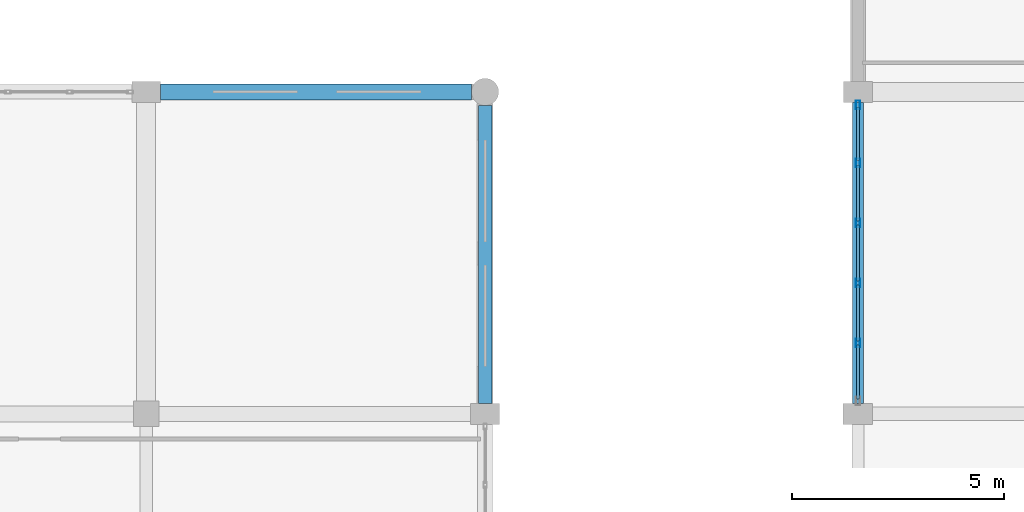
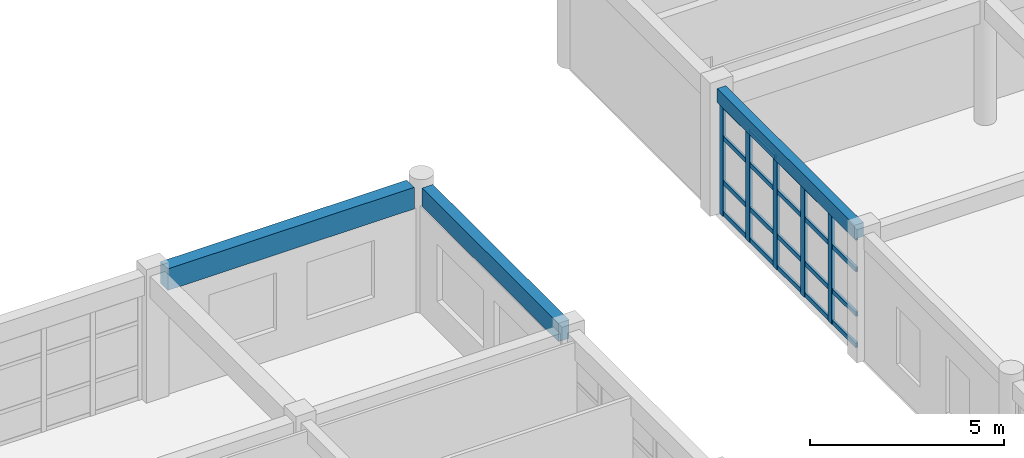
# One storey, part 44 of 121: 25 members, 3 beams, 1 element without a shape of its own.
"""IFC4 building model written with IfcOpenShell, lengths in metres."""

import ifcopenshell
import ifcopenshell.guid

model = None  # the IFC model being written
_history = None  # IfcOwnerHistory: only IFC2X3 demands one
_inside = {}  # id of a spatial element -> (the spatial element, [elements in it])
_under = {}  # id of a project, library or spatial element -> (it, [spatial elements below it])
_declared = {}  # id of a project -> (the project, [libraries it declares])
_typed = {}  # id of a type object -> (the type object, [elements of that type])
_made_of = {}  # id of a material, layer set ... -> (it, [elements and type objects made of it])


def new_model(schema):
    """Start an empty IFC model of exactly this schema.

    Asked for "IFC4X3", IfcOpenShell would pick the latest addendum, in which some entities
    have other attributes; the version numbers below select the first issue.
    IFC2X3 requires an IfcOwnerHistory on every rooted entity: one is made here for all.
    """
    global model, _history
    if schema == "IFC4X3":
        model = ifcopenshell.file(schema_version=(4, 3, 0, 0))
    else:
        model = ifcopenshell.file(schema=schema)
    _inside.clear()
    _under.clear()
    _declared.clear()
    _typed.clear()
    _made_of.clear()
    _history = None
    if model.schema == "IFC2X3":
        org = make("IfcOrganization", Name="unknown")
        user = make(
            "IfcPersonAndOrganization",
            ThePerson=make("IfcPerson", FamilyName="unknown"),
            TheOrganization=org,
        )
        app = make(
            "IfcApplication",
            ApplicationDeveloper=org,
            Version="unknown",
            ApplicationFullName="unknown",
            ApplicationIdentifier="unknown",
        )
        _history = make(
            "IfcOwnerHistory",
            OwningUser=user,
            OwningApplication=app,
            ChangeAction="ADDED",
            CreationDate=0,
        )
    return model


def make(cls, **values):
    """One entity of the class cls with the attributes given. An attribute that is None is left unset."""
    return model.create_entity(
        cls, **{name: value for name, value in values.items() if value is not None}
    )


def rooted(cls, **values):
    """An entity with a GlobalId (a new one), such as an element, a storey or a relation."""
    return make(cls, GlobalId=ifcopenshell.guid.new(), OwnerHistory=_history, **values)


def si_unit(unit_type, name, prefix=None):
    """IfcSIUnit, for example si_unit("LENGTHUNIT", "METRE", prefix="MILLI")."""
    return make("IfcSIUnit", UnitType=unit_type, Prefix=prefix, Name=name)


def assignment(units):
    """IfcUnitAssignment: the units of a project."""
    return None if units is None else make("IfcUnitAssignment", Units=units)


def point(xyz):
    """IfcCartesianPoint."""
    return None if xyz is None else make("IfcCartesianPoint", Coordinates=xyz)


def direction(xyz):
    """IfcDirection."""
    return None if xyz is None else make("IfcDirection", DirectionRatios=xyz)


def frame(location, z_axis=None, x_axis=None):
    """IfcAxis2Placement3D, a coordinate frame: its origin and axes. An axis left out is left unset."""
    return make(
        "IfcAxis2Placement3D",
        Location=point(location),
        Axis=direction(z_axis),
        RefDirection=direction(x_axis),
    )


def frame_2d(location, x_axis=None):
    """IfcAxis2Placement2D, a coordinate frame in the plane: its origin and x axis."""
    return make(
        "IfcAxis2Placement2D", Location=point(location), RefDirection=direction(x_axis)
    )


def origin():
    """The frame at (0, 0, 0) with its axes left unset."""
    return frame((0.0, 0.0, 0.0))


def origin_2d():
    """The frame at (0, 0) in the plane with its x axis left unset."""
    return frame_2d((0.0, 0.0))


def place(relative_to, where):
    """IfcLocalPlacement: puts the frame where relative to a parent placement (None: the world)."""
    return make(
        "IfcLocalPlacement", PlacementRelTo=relative_to, RelativePlacement=where
    )


def context(
    kind, dimensions, precision=None, world=None, true_north=None, identifier=None
):
    """IfcGeometricRepresentationContext, for example the 3D "Model" context."""
    return make(
        "IfcGeometricRepresentationContext",
        ContextIdentifier=identifier,
        ContextType=kind,
        CoordinateSpaceDimension=dimensions,
        Precision=precision,
        WorldCoordinateSystem=world,
        TrueNorth=true_north,
    )


def subcontext(parent, identifier, kind, view, scale=None):
    """IfcGeometricRepresentationSubContext, for example "Body" below "Model"."""
    return make(
        "IfcGeometricRepresentationSubContext",
        ContextIdentifier=identifier,
        ContextType=kind,
        ParentContext=parent,
        TargetScale=scale,
        TargetView=view,
    )


def project(units=None, contexts=None):
    """IfcProject with its units and contexts."""
    return rooted(
        "IfcProject",
        Name="project",
        RepresentationContexts=contexts,
        UnitsInContext=assignment(units),
    )


def spatial(cls, under=None, at=None, **own):
    """A site, building, storey or space (cls), placed at a placement, below another one or the project."""
    s = rooted(cls, ObjectPlacement=at, **own)
    if under is not None:
        _under.setdefault(under.id(), (under, []))[1].append(s)
    return s


def profile(cls, at=None, kind="AREA", **sizes):
    """A parametric profile (cls). Its sizes go by their IFC names, for example OverallWidth=200.0."""
    return make(cls, ProfileType=kind, Position=at, **sizes)


def rectangle(**sizes):
    """IfcRectangleProfileDef."""
    return profile("IfcRectangleProfileDef", **sizes)


def hollow_rectangle(**sizes):
    """IfcRectangleHollowProfileDef."""
    return profile("IfcRectangleHollowProfileDef", **sizes)


def extrude(swept, where, along, depth):
    """IfcExtrudedAreaSolid: the profile swept, set in the frame where, extruded along a direction by depth."""
    return make(
        "IfcExtrudedAreaSolid",
        SweptArea=swept,
        Position=where,
        ExtrudedDirection=direction(along),
        Depth=depth,
    )


def shape(context_of_items, identifier, shape_type, items):
    """IfcShapeRepresentation: the items that make up one representation, for example the "Body"."""
    return make(
        "IfcShapeRepresentation",
        ContextOfItems=context_of_items,
        RepresentationIdentifier=identifier,
        RepresentationType=shape_type,
        Items=items,
    )


def material(Name=None, Category=None):
    """IfcMaterial."""
    return make("IfcMaterial", Name=Name, Category=Category)


def material_profile(
    of_material, cross_section, Name=None, Category=None, Priority=None
):
    """IfcMaterialProfile: a cross section and its material."""
    return make(
        "IfcMaterialProfile",
        Name=Name,
        Material=of_material,
        Profile=cross_section,
        Priority=Priority,
        Category=Category,
    )


def profile_set(profiles, Name=None, composite=None):
    """IfcMaterialProfileSet."""
    return make(
        "IfcMaterialProfileSet",
        Name=Name,
        MaterialProfiles=profiles,
        CompositeProfile=composite,
    )


def made_of(thing, what):
    """Note that an element or type object is made of a material, layer set ...; save() writes the relation."""
    if what is not None:
        _made_of.setdefault(what.id(), (what, []))[1].append(thing)
    return thing


def type_object(cls, material=None, **own):
    """A type object (cls), such as IfcWallType, which elements share."""
    return made_of(rooted(cls, **own), material)


def element(
    cls,
    number,
    at=None,
    inside=None,
    cuts=None,
    type_object=None,
    material=None,
    context=None,
    identifier="Body",
    shape_type=None,
    held_by="IfcProductDefinitionShape",
    body=None,
    shapes=None,
    **own,
):
    """One element of the class cls, such as IfcWall. Its Tag is "e" and its number.

    at: its placement. inside: the storey or other place that contains it. cuts: it is an
    opening in that element (IfcRelVoidsElement). A single representation is given by context,
    identifier, shape_type and body (its items); several are given by shapes. held_by: the class
    of the entity that holds the representations. save() writes the other relations.
    """
    e = rooted(cls, Tag="e%d" % number, ObjectPlacement=at, **own)
    if body is not None:
        shapes = [shape(context, identifier, shape_type, body)]
    if shapes is not None:
        e.Representation = make(held_by, Representations=shapes)
    if inside is not None:
        _inside.setdefault(inside.id(), (inside, []))[1].append(e)
    if cuts is not None:
        rooted(
            "IfcRelVoidsElement", RelatingBuildingElement=cuts, RelatedOpeningElement=e
        )
    if type_object is not None:
        _typed.setdefault(type_object.id(), (type_object, []))[1].append(e)
    return made_of(e, material)


def aggregate(whole, parts):
    """IfcRelAggregates: a whole, such as a stair, and the parts it consists of."""
    return rooted("IfcRelAggregates", RelatingObject=whole, RelatedObjects=parts)


def save(model, path):
    """Write the relations noted so far, then the file.

    IfcRelAggregates (storeys below a building ...), IfcRelContainedInSpatialStructure (elements
    in a storey), IfcRelDefinesByType, IfcRelAssociatesMaterial and IfcRelDeclares: one each for
    every whole, place, type object, material and project.
    """
    for whole, parts in _under.values():
        aggregate(whole, parts)
    for where, things in _inside.values():
        rooted(
            "IfcRelContainedInSpatialStructure",
            RelatedElements=things,
            RelatingStructure=where,
        )
    for kind, things in _typed.values():
        rooted("IfcRelDefinesByType", RelatedObjects=things, RelatingType=kind)
    for what, things in _made_of.values():
        rooted("IfcRelAssociatesMaterial", RelatedObjects=things, RelatingMaterial=what)
    for by, libraries in _declared.values():
        rooted("IfcRelDeclares", RelatingContext=by, RelatedDefinitions=libraries)
    model.write(path)


model = new_model("IFC4")

# Units and contexts
model_context = context("Model", 3, precision=1e-05, world=origin(), true_north=direction((0.0, 1.0)))
body_context = subcontext(model_context, "Body", "Model", "MODEL_VIEW")
ifc_project = project(units=[si_unit("LENGTHUNIT", "METRE"), si_unit("AREAUNIT", "SQUARE_METRE"), si_unit("VOLUMEUNIT", "CUBIC_METRE"), si_unit("PLANEANGLEUNIT", "RADIAN"), si_unit("MASSUNIT", "GRAM", prefix="KILO")], contexts=[model_context])

# Site, building, storey
site_placement = place(None, origin())
site = spatial("IfcSite", under=ifc_project, at=site_placement, CompositionType="ELEMENT")
building_placement = place(site_placement, origin())
building = spatial("IfcBuilding", under=site, at=building_placement, Name="Kharva Crest Polytechnic", CompositionType="ELEMENT")
storey_placement = place(building_placement, frame((0.0, 0.0, 13.199951171875)))
storey = spatial("IfcBuildingStorey", under=building, at=storey_placement, Name="L03", CompositionType="ELEMENT", Elevation=13.199951171875)

# Curtain wall, members
ifc_material_1 = material(Name="Tempered insulated glass", Category="glass")
curtain_wall_type = type_object("IfcCurtainWallType", Name="CW-SYS-REFECTORY", PredefinedType="USERDEFINED", material=ifc_material_1)
curtain_wall_placement = place(storey_placement, origin())
curtain_wall = element("IfcCurtainWall", 1, at=curtain_wall_placement, inside=storey, type_object=curtain_wall_type, Name="L03 Glazed Curtain Wall CW-139", ObjectType="CURTAIN WALL", PredefinedType="USERDEFINED")
ifc_material_2 = material(Name="Steel S355", Category="steel")
ifc_material_profile_1 = material_profile(ifc_material_2, hollow_rectangle(XDim=0.10009765625, YDim=0.199951171875, WallThickness=0.00634765625, at=origin_2d()), Name="RHS 200X100X6.3")
ifc_profile_set_1 = profile_set([ifc_material_profile_1], Name="Steel S355")
member_type_1 = type_object("IfcMemberType", Name="CWM-RHS200X100", PredefinedType="MULLION", material=ifc_profile_set_1)
member_1_placement = place(storey_placement, frame((120.800048828125, 22.4951171875, 0.0), z_axis=(0.0, 0.0, 1.0), x_axis=(1.0, 0.0, 0.0)))
member_1 = element("IfcMember", 2, at=member_1_placement, type_object=member_type_1, Name="CW-139 mullion 1", PredefinedType="MULLION", context=body_context, shape_type="SweptSolid", body=[
    extrude(hollow_rectangle(XDim=0.10009765625, YDim=0.199951171875, WallThickness=0.00634765625, at=origin_2d()), origin(), (0.0, 0.0, 1.0), 3.52001953125),
])
member_2_placement = place(storey_placement, frame((120.800048828125, 21.126953125, 0.0), z_axis=(0.0, 0.0, 1.0), x_axis=(1.0, 0.0, 0.0)))
member_2 = element("IfcMember", 3, at=member_2_placement, type_object=member_type_1, Name="CW-139 mullion 2", PredefinedType="MULLION", context=body_context, shape_type="SweptSolid", body=[
    extrude(hollow_rectangle(XDim=0.10009765625, YDim=0.199951171875, WallThickness=0.00634765625, at=origin_2d()), origin(), (0.0, 0.0, 1.0), 3.52001953125),
])
member_3_placement = place(storey_placement, frame((120.800048828125, 19.708984375, 0.0), z_axis=(0.0, 0.0, 1.0), x_axis=(1.0, 0.0, 0.0)))
member_3 = element("IfcMember", 4, at=member_3_placement, type_object=member_type_1, Name="CW-139 mullion 3", PredefinedType="MULLION", context=body_context, shape_type="SweptSolid", body=[
    extrude(hollow_rectangle(XDim=0.10009765625, YDim=0.199951171875, WallThickness=0.00634765625, at=origin_2d()), origin(), (0.0, 0.0, 1.0), 3.52001953125),
])
member_4_placement = place(storey_placement, frame((120.800048828125, 18.291015625, 0.0), z_axis=(0.0, 0.0, 1.0), x_axis=(1.0, 0.0, 0.0)))
member_4 = element("IfcMember", 5, at=member_4_placement, type_object=member_type_1, Name="CW-139 mullion 4", PredefinedType="MULLION", context=body_context, shape_type="SweptSolid", body=[
    extrude(hollow_rectangle(XDim=0.10009765625, YDim=0.199951171875, WallThickness=0.00634765625, at=origin_2d()), origin(), (0.0, 0.0, 1.0), 3.52001953125),
])
member_5_placement = place(storey_placement, frame((120.800048828125, 16.873046875, 0.0), z_axis=(0.0, 0.0, 1.0), x_axis=(1.0, 0.0, 0.0)))
member_5 = element("IfcMember", 6, at=member_5_placement, type_object=member_type_1, Name="CW-139 mullion 5", PredefinedType="MULLION", context=body_context, shape_type="SweptSolid", body=[
    extrude(hollow_rectangle(XDim=0.10009765625, YDim=0.199951171875, WallThickness=0.00634765625, at=origin_2d()), origin(), (0.0, 0.0, 1.0), 3.52001953125),
])
ifc_material_profile_2 = material_profile(ifc_material_2, hollow_rectangle(XDim=0.070068359375, YDim=0.139892578125, WallThickness=0.00390625, at=origin_2d()), Name="RHS 140X70X4.0")
ifc_profile_set_2 = profile_set([ifc_material_profile_2], Name="Steel S355")
member_type_2 = type_object("IfcMemberType", Name="CWT-RHS140X70", PredefinedType="USERDEFINED", material=ifc_profile_set_2)
member_6_placement = place(storey_placement, frame((120.800048828125, 22.445068359375, 0.070068359375), z_axis=(0.0, -1.0, 0.0), x_axis=(1.0, 0.0, 0.0)))
member_6 = element("IfcMember", 7, at=member_6_placement, type_object=member_type_2, Name="CW-139 transom 1.1", ObjectType="TRANSOM", PredefinedType="USERDEFINED", context=body_context, shape_type="SweptSolid", body=[
    extrude(hollow_rectangle(XDim=0.070068359375, YDim=0.139892578125, WallThickness=0.00390625, at=origin_2d()), origin(), (0.0, 0.0, 1.0), 1.26806640625),
])
member_7_placement = place(storey_placement, frame((120.800048828125, 22.445068359375, 1.050048828125), z_axis=(0.0, -1.0, 0.0), x_axis=(1.0, 0.0, 0.0)))
member_7 = element("IfcMember", 8, at=member_7_placement, type_object=member_type_2, Name="CW-139 transom 1.2", ObjectType="TRANSOM", PredefinedType="USERDEFINED", context=body_context, shape_type="SweptSolid", body=[
    extrude(hollow_rectangle(XDim=0.070068359375, YDim=0.139892578125, WallThickness=0.00390625, at=origin_2d()), origin(), (0.0, 0.0, 1.0), 1.26806640625),
])
member_8_placement = place(storey_placement, frame((120.800048828125, 22.445068359375, 2.449951171875), z_axis=(0.0, -1.0, 0.0), x_axis=(1.0, 0.0, 0.0)))
member_8 = element("IfcMember", 9, at=member_8_placement, type_object=member_type_2, Name="CW-139 transom 1.3", ObjectType="TRANSOM", PredefinedType="USERDEFINED", context=body_context, shape_type="SweptSolid", body=[
    extrude(hollow_rectangle(XDim=0.070068359375, YDim=0.139892578125, WallThickness=0.00390625, at=origin_2d()), origin(), (0.0, 0.0, 1.0), 1.26806640625),
])
member_9_placement = place(storey_placement, frame((120.800048828125, 22.445068359375, 3.449951171875), z_axis=(0.0, -1.0, 0.0), x_axis=(1.0, 0.0, 0.0)))
member_9 = element("IfcMember", 10, at=member_9_placement, type_object=member_type_2, Name="CW-139 transom 1.4", ObjectType="TRANSOM", PredefinedType="USERDEFINED", context=body_context, shape_type="SweptSolid", body=[
    extrude(hollow_rectangle(XDim=0.070068359375, YDim=0.139892578125, WallThickness=0.00390625, at=origin_2d()), origin(), (0.0, 0.0, 1.0), 1.26806640625),
])
member_10_placement = place(storey_placement, frame((120.800048828125, 21.076904296875, 0.070068359375), z_axis=(0.0, -1.0, 0.0), x_axis=(1.0, 0.0, 0.0)))
member_10 = element("IfcMember", 11, at=member_10_placement, type_object=member_type_2, Name="CW-139 transom 2.1", ObjectType="TRANSOM", PredefinedType="USERDEFINED", context=body_context, shape_type="SweptSolid", body=[
    extrude(hollow_rectangle(XDim=0.070068359375, YDim=0.139892578125, WallThickness=0.00390625, at=origin_2d()), origin(), (0.0, 0.0, 1.0), 1.31787109375),
])
member_11_placement = place(storey_placement, frame((120.800048828125, 21.076904296875, 1.050048828125), z_axis=(0.0, -1.0, 0.0), x_axis=(1.0, 0.0, 0.0)))
member_11 = element("IfcMember", 12, at=member_11_placement, type_object=member_type_2, Name="CW-139 transom 2.2", ObjectType="TRANSOM", PredefinedType="USERDEFINED", context=body_context, shape_type="SweptSolid", body=[
    extrude(hollow_rectangle(XDim=0.070068359375, YDim=0.139892578125, WallThickness=0.00390625, at=origin_2d()), origin(), (0.0, 0.0, 1.0), 1.31787109375),
])
member_12_placement = place(storey_placement, frame((120.800048828125, 21.076904296875, 2.449951171875), z_axis=(0.0, -1.0, 0.0), x_axis=(1.0, 0.0, 0.0)))
member_12 = element("IfcMember", 13, at=member_12_placement, type_object=member_type_2, Name="CW-139 transom 2.3", ObjectType="TRANSOM", PredefinedType="USERDEFINED", context=body_context, shape_type="SweptSolid", body=[
    extrude(hollow_rectangle(XDim=0.070068359375, YDim=0.139892578125, WallThickness=0.00390625, at=origin_2d()), origin(), (0.0, 0.0, 1.0), 1.31787109375),
])
member_13_placement = place(storey_placement, frame((120.800048828125, 21.076904296875, 3.449951171875), z_axis=(0.0, -1.0, 0.0), x_axis=(1.0, 0.0, 0.0)))
member_13 = element("IfcMember", 14, at=member_13_placement, type_object=member_type_2, Name="CW-139 transom 2.4", ObjectType="TRANSOM", PredefinedType="USERDEFINED", context=body_context, shape_type="SweptSolid", body=[
    extrude(hollow_rectangle(XDim=0.070068359375, YDim=0.139892578125, WallThickness=0.00390625, at=origin_2d()), origin(), (0.0, 0.0, 1.0), 1.31787109375),
])
member_14_placement = place(storey_placement, frame((120.800048828125, 19.658935546875, 0.070068359375), z_axis=(0.0, -1.0, 0.0), x_axis=(1.0, 0.0, 0.0)))
member_14 = element("IfcMember", 15, at=member_14_placement, type_object=member_type_2, Name="CW-139 transom 3.1", ObjectType="TRANSOM", PredefinedType="USERDEFINED", context=body_context, shape_type="SweptSolid", body=[
    extrude(hollow_rectangle(XDim=0.070068359375, YDim=0.139892578125, WallThickness=0.00390625, at=origin_2d()), origin(), (0.0, 0.0, 1.0), 1.31787109375),
])
member_15_placement = place(storey_placement, frame((120.800048828125, 19.658935546875, 1.050048828125), z_axis=(0.0, -1.0, 0.0), x_axis=(1.0, 0.0, 0.0)))
member_15 = element("IfcMember", 16, at=member_15_placement, type_object=member_type_2, Name="CW-139 transom 3.2", ObjectType="TRANSOM", PredefinedType="USERDEFINED", context=body_context, shape_type="SweptSolid", body=[
    extrude(hollow_rectangle(XDim=0.070068359375, YDim=0.139892578125, WallThickness=0.00390625, at=origin_2d()), origin(), (0.0, 0.0, 1.0), 1.31787109375),
])
member_16_placement = place(storey_placement, frame((120.800048828125, 19.658935546875, 2.449951171875), z_axis=(0.0, -1.0, 0.0), x_axis=(1.0, 0.0, 0.0)))
member_16 = element("IfcMember", 17, at=member_16_placement, type_object=member_type_2, Name="CW-139 transom 3.3", ObjectType="TRANSOM", PredefinedType="USERDEFINED", context=body_context, shape_type="SweptSolid", body=[
    extrude(hollow_rectangle(XDim=0.070068359375, YDim=0.139892578125, WallThickness=0.00390625, at=origin_2d()), origin(), (0.0, 0.0, 1.0), 1.31787109375),
])
member_17_placement = place(storey_placement, frame((120.800048828125, 19.658935546875, 3.449951171875), z_axis=(0.0, -1.0, 0.0), x_axis=(1.0, 0.0, 0.0)))
member_17 = element("IfcMember", 18, at=member_17_placement, type_object=member_type_2, Name="CW-139 transom 3.4", ObjectType="TRANSOM", PredefinedType="USERDEFINED", context=body_context, shape_type="SweptSolid", body=[
    extrude(hollow_rectangle(XDim=0.070068359375, YDim=0.139892578125, WallThickness=0.00390625, at=origin_2d()), origin(), (0.0, 0.0, 1.0), 1.31787109375),
])
member_18_placement = place(storey_placement, frame((120.800048828125, 18.240966796875, 0.070068359375), z_axis=(0.0, -1.0, 0.0), x_axis=(1.0, 0.0, 0.0)))
member_18 = element("IfcMember", 19, at=member_18_placement, type_object=member_type_2, Name="CW-139 transom 4.1", ObjectType="TRANSOM", PredefinedType="USERDEFINED", context=body_context, shape_type="SweptSolid", body=[
    extrude(hollow_rectangle(XDim=0.070068359375, YDim=0.139892578125, WallThickness=0.00390625, at=origin_2d()), origin(), (0.0, 0.0, 1.0), 1.31787109375),
])
member_19_placement = place(storey_placement, frame((120.800048828125, 18.240966796875, 1.050048828125), z_axis=(0.0, -1.0, 0.0), x_axis=(1.0, 0.0, 0.0)))
member_19 = element("IfcMember", 20, at=member_19_placement, type_object=member_type_2, Name="CW-139 transom 4.2", ObjectType="TRANSOM", PredefinedType="USERDEFINED", context=body_context, shape_type="SweptSolid", body=[
    extrude(hollow_rectangle(XDim=0.070068359375, YDim=0.139892578125, WallThickness=0.00390625, at=origin_2d()), origin(), (0.0, 0.0, 1.0), 1.31787109375),
])
member_20_placement = place(storey_placement, frame((120.800048828125, 18.240966796875, 2.449951171875), z_axis=(0.0, -1.0, 0.0), x_axis=(1.0, 0.0, 0.0)))
member_20 = element("IfcMember", 21, at=member_20_placement, type_object=member_type_2, Name="CW-139 transom 4.3", ObjectType="TRANSOM", PredefinedType="USERDEFINED", context=body_context, shape_type="SweptSolid", body=[
    extrude(hollow_rectangle(XDim=0.070068359375, YDim=0.139892578125, WallThickness=0.00390625, at=origin_2d()), origin(), (0.0, 0.0, 1.0), 1.31787109375),
])
member_21_placement = place(storey_placement, frame((120.800048828125, 18.240966796875, 3.449951171875), z_axis=(0.0, -1.0, 0.0), x_axis=(1.0, 0.0, 0.0)))
member_21 = element("IfcMember", 22, at=member_21_placement, type_object=member_type_2, Name="CW-139 transom 4.4", ObjectType="TRANSOM", PredefinedType="USERDEFINED", context=body_context, shape_type="SweptSolid", body=[
    extrude(hollow_rectangle(XDim=0.070068359375, YDim=0.139892578125, WallThickness=0.00390625, at=origin_2d()), origin(), (0.0, 0.0, 1.0), 1.31787109375),
])
member_22_placement = place(storey_placement, frame((120.800048828125, 16.822998046875, 0.070068359375), z_axis=(0.0, -1.0, 0.0), x_axis=(1.0, 0.0, 0.0)))
member_22 = element("IfcMember", 23, at=member_22_placement, type_object=member_type_2, Name="CW-139 transom 5.1", ObjectType="TRANSOM", PredefinedType="USERDEFINED", context=body_context, shape_type="SweptSolid", body=[
    extrude(hollow_rectangle(XDim=0.070068359375, YDim=0.139892578125, WallThickness=0.00390625, at=origin_2d()), origin(), (0.0, 0.0, 1.0), 1.26806640625),
])
member_23_placement = place(storey_placement, frame((120.800048828125, 16.822998046875, 1.050048828125), z_axis=(0.0, -1.0, 0.0), x_axis=(1.0, 0.0, 0.0)))
member_23 = element("IfcMember", 24, at=member_23_placement, type_object=member_type_2, Name="CW-139 transom 5.2", ObjectType="TRANSOM", PredefinedType="USERDEFINED", context=body_context, shape_type="SweptSolid", body=[
    extrude(hollow_rectangle(XDim=0.070068359375, YDim=0.139892578125, WallThickness=0.00390625, at=origin_2d()), origin(), (0.0, 0.0, 1.0), 1.26806640625),
])
member_24_placement = place(storey_placement, frame((120.800048828125, 16.822998046875, 2.449951171875), z_axis=(0.0, -1.0, 0.0), x_axis=(1.0, 0.0, 0.0)))
member_24 = element("IfcMember", 25, at=member_24_placement, type_object=member_type_2, Name="CW-139 transom 5.3", ObjectType="TRANSOM", PredefinedType="USERDEFINED", context=body_context, shape_type="SweptSolid", body=[
    extrude(hollow_rectangle(XDim=0.070068359375, YDim=0.139892578125, WallThickness=0.00390625, at=origin_2d()), origin(), (0.0, 0.0, 1.0), 1.26806640625),
])
member_25_placement = place(storey_placement, frame((120.800048828125, 16.822998046875, 3.449951171875), z_axis=(0.0, -1.0, 0.0), x_axis=(1.0, 0.0, 0.0)))
member_25 = element("IfcMember", 26, at=member_25_placement, type_object=member_type_2, Name="CW-139 transom 5.4", ObjectType="TRANSOM", PredefinedType="USERDEFINED", context=body_context, shape_type="SweptSolid", body=[
    extrude(hollow_rectangle(XDim=0.070068359375, YDim=0.139892578125, WallThickness=0.00390625, at=origin_2d()), origin(), (0.0, 0.0, 1.0), 1.26806640625),
])
aggregate(curtain_wall, [member_1, member_2, member_3, member_4, member_5, member_6, member_7, member_8, member_9, member_10, member_11, member_12, member_13, member_14, member_15, member_16, member_17, member_18, member_19, member_20, member_21, member_22, member_23, member_24, member_25])

# Beams
ifc_material_3 = material(Name="Concrete C35/45", Category="concrete")
ifc_material_profile_3 = material_profile(ifc_material_3, rectangle(XDim=0.260009765625, YDim=0.43994140625, at=origin_2d()), Name="RECT 260 X 440")
ifc_profile_set_3 = profile_set([ifc_material_profile_3], Name="Concrete C35/45")
beam_type_1 = type_object("IfcBeamType", Name="SP-RC-260X440", PredefinedType="SPANDREL", material=ifc_profile_set_3)
beam_1_placement = place(storey_placement, frame((120.800048828125, 15.449951171875, 3.739990234375), z_axis=(0.0, 1.0, 0.0), x_axis=(-1.0, 0.0, 0.0)))
element("IfcBeam", 27, at=beam_1_placement, inside=storey, type_object=beam_type_1, Name="L03 Girder 16J/C-D", PredefinedType="SPANDREL", context=body_context, shape_type="SweptSolid", body=[
    extrude(rectangle(XDim=0.260009765625, YDim=0.43994140625, at=origin_2d()), origin(), (0.0, 0.0, 1.0), 7.10009765625),
])
ifc_material_profile_4 = material_profile(ifc_material_3, rectangle(XDim=0.320068359375, YDim=0.580078125, at=origin_2d()), Name="RECT 320 X 580")
ifc_profile_set_4 = profile_set([ifc_material_profile_4], Name="Concrete C35/45")
beam_type_2 = type_object("IfcBeamType", Name="SP-RC-320X580", PredefinedType="SPANDREL", material=ifc_profile_set_4)
beam_2_placement = place(storey_placement, frame((112.0, 15.449951171875, 3.670166015625), z_axis=(0.0, 1.0, 0.0), x_axis=(-1.0, 0.0, 0.0)))
element("IfcBeam", 28, at=beam_2_placement, inside=storey, type_object=beam_type_2, Name="L03 Girder 15/C-D", PredefinedType="SPANDREL", context=body_context, shape_type="SweptSolid", body=[
    extrude(rectangle(XDim=0.320068359375, YDim=0.580078125, at=origin_2d()), origin(), (0.0, 0.0, 1.0), 7.030029296875),
])
ifc_material_profile_5 = material_profile(ifc_material_3, rectangle(XDim=0.3798828125, YDim=0.679931640625, at=origin_2d()), Name="RECT 380 X 680")
ifc_profile_set_5 = profile_set([ifc_material_profile_5], Name="Concrete C35/45")
beam_type_3 = type_object("IfcBeamType", Name="SP-RC-380X680", PredefinedType="SPANDREL", material=ifc_profile_set_5)
beam_3_placement = place(storey_placement, frame((104.340087890625, 22.800048828125, 3.6201171875), z_axis=(1.0, 0.0, 0.0), x_axis=(0.0, 1.0, 0.0)))
element("IfcBeam", 29, at=beam_3_placement, inside=storey, type_object=beam_type_3, Name="L03 Beam D/14-15", PredefinedType="SPANDREL", context=body_context, shape_type="SweptSolid", body=[
    extrude(rectangle(XDim=0.3798828125, YDim=0.679931640625, at=origin_2d()), origin(), (0.0, 0.0, 1.0), 7.33984375),
])

save(model, "model.ifc")
